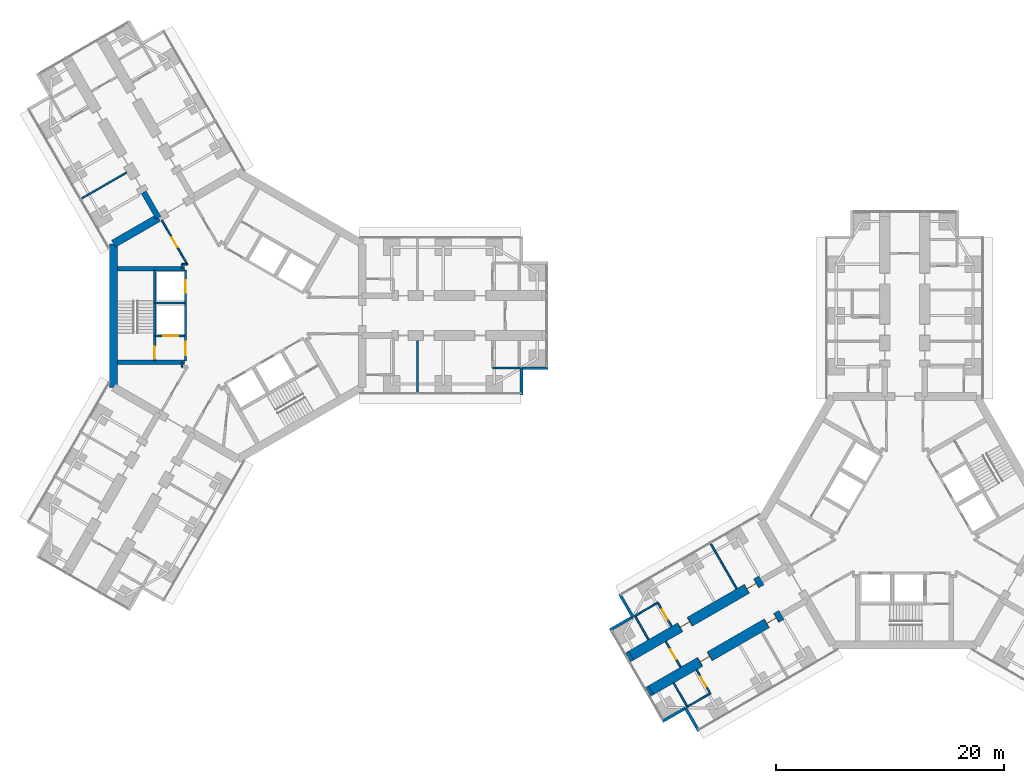
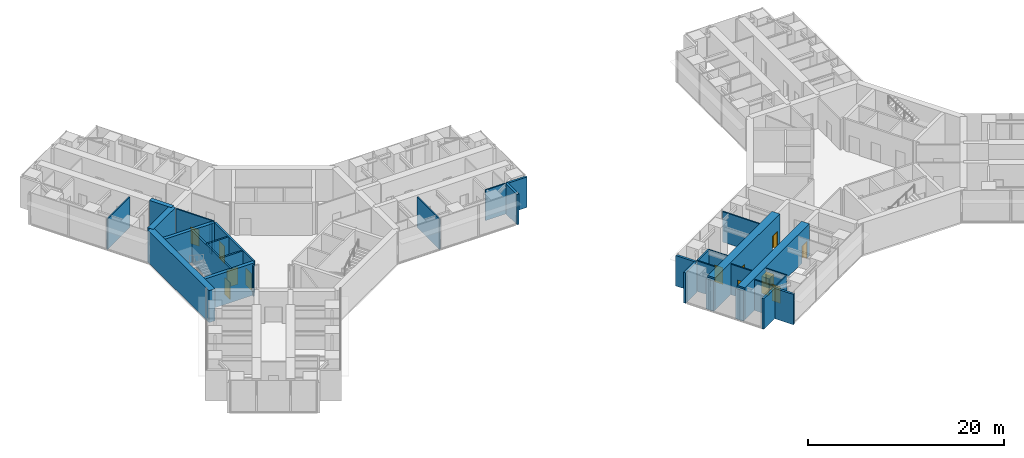
# One storey, part 17 of 24: 34 walls, 12 doors, 12 openings.
"""IFC4 building model written with IfcOpenShell, lengths in metres."""

from ifc_helpers import new_model, si_unit, direction, frame, frame_2d, origin, place, context, subcontext, project, spatial, rectangle, extrude, material, layer, layer_set, type_object, element, fill, save


model = new_model("IFC4")

# Units and contexts
model_context = context("Model", 3, precision=1e-05, world=origin(), true_north=direction((0.0, 1.0)))
body_context = subcontext(model_context, "Body", "Model", "MODEL_VIEW")
ifc_project = project(units=[si_unit("LENGTHUNIT", "METRE"), si_unit("AREAUNIT", "SQUARE_METRE"), si_unit("VOLUMEUNIT", "CUBIC_METRE"), si_unit("PLANEANGLEUNIT", "RADIAN"), si_unit("MASSUNIT", "GRAM", prefix="KILO")], contexts=[model_context])

# Site, building, storey
site_placement = place(None, origin())
site = spatial("IfcSite", under=ifc_project, at=site_placement, CompositionType="ELEMENT")
building_placement = place(site_placement, origin())
building = spatial("IfcBuilding", under=site, at=building_placement, Name="Upepo Twin Towers", CompositionType="ELEMENT")
storey_placement = place(building_placement, frame((0.0, 0.0, 48.5)))
storey = spatial("IfcBuildingStorey", under=building, at=storey_placement, Name="L11", CompositionType="ELEMENT", Elevation=48.5)

# Walls
ifc_material_1 = material(Name="Dense concrete blockwork", Category="masonry")
ifc_layer_1 = layer(ifc_material_1, 0.89990234375)
ifc_layer_set_1 = layer_set([ifc_layer_1], Name="Buttress closer 900, blockwork with fire-stopping to the curtain wall")
wall_type_1 = type_object("IfcWallType", Name="Buttress closer 900, blockwork with fire-stopping to the curtain wall", PredefinedType="PARTITIONING", material=ifc_layer_set_1)
for number, where, z_axis, x_axis, name in (
    (1, (36.252197265625, -32.865478515625, 0.0), (0.0, 0.0, 1.0), (-0.866054481515, -0.499949632511, 0.0), "T2 L11 wing B buttress closer L"),
    (2, (34.502197265625, -29.83447265625, 0.0), (0.0, 0.0, 1.0), (-0.866054481515, -0.499949632511, 0.0), "T2 L11 wing B buttress closer R"),
):
    element("IfcWall", number, at=place(storey_placement, frame(where, z_axis=z_axis, x_axis=x_axis)), inside=storey, type_object=wall_type_1, Name=name, PredefinedType="PARTITIONING", context=body_context, shape_type="SweptSolid", body=[
        extrude(rectangle(XDim=0.31005859375, YDim=0.89990234375, at=frame_2d((0.155029296875, 0.0))), origin(), (0.0, 0.0, 1.0), 3.800048828125),
    ])
ifc_material_2 = material(Name="Concrete C60/75", Category="concrete")
ifc_layer_2 = layer(ifc_material_2, 0.5)
ifc_layer_set_2 = layer_set([ifc_layer_2], Name="Concrete C60/75")
wall_type_2 = type_object("IfcWallType", Name="Buttress wall 500 RC", PredefinedType="SHEAR", material=ifc_layer_set_2)
wall_1_placement = place(storey_placement, frame((-6.9697265625, 8.57177734375, 0.0), z_axis=(0.0, 0.0, 1.0), x_axis=(-0.499988811324, 0.866031863473, 0.0)))
element("IfcWall", 3, at=wall_1_placement, inside=storey, type_object=wall_type_2, Name="T1 wing B buttress wall L", PredefinedType="SHEAR", context=body_context, shape_type="SweptSolid", body=[
    extrude(rectangle(XDim=2.591796875, YDim=0.5, at=frame_2d((1.2958984375, 0.0))), origin(), (0.0, 0.0, 1.0), 4.0),
])

# Wall, openings, doors
ifc_material_3 = material(Name="Concrete C60/75", Category="concrete")
ifc_layer_3 = layer(ifc_material_3, 0.89990234375)
ifc_layer_set_3 = layer_set([ifc_layer_3], Name="Concrete C60/75")
wall_type_3 = type_object("IfcWallType", Name="Buttress wall 900 RC", PredefinedType="SHEAR", material=ifc_layer_set_3)
wall_2_placement = place(storey_placement, frame((47.68359375, -26.265625, 0.0), z_axis=(0.0, 0.0, 1.0), x_axis=(-0.866027579429, -0.499996231654, 0.0)))
wall_2 = element("IfcWall", 4, at=wall_2_placement, inside=storey, type_object=wall_type_3, Name="T2 wing B buttress wall L part 2", PredefinedType="SHEAR", context=body_context, shape_type="SweptSolid", body=[
    extrude(rectangle(XDim=13.19970703125, YDim=0.89990234375, at=frame_2d((6.599853515625, 0.0))), origin(), (0.0, 0.0, 1.0), 4.0),
])
opening_1_placement = place(wall_2_placement, frame((0.5, 0.0, 0.0)))
opening_1 = element("IfcOpeningElement", 5, at=opening_1_placement, cuts=wall_2, Name="Opening D1", PredefinedType="OPENING", context=body_context, shape_type="SweptSolid", body=[
    extrude(rectangle(XDim=1.0, YDim=2.10009765625, at=frame_2d((0.5, 1.050048828125))), frame((0.0, 0.4599609375, 0.0), z_axis=(0.0, -1.0, 0.0), x_axis=(1.0, 0.0, 0.0)), (0.0, 0.0, 1.0), 0.919921875),
])
opening_2_placement = place(wall_2_placement, frame((7.25, 0.0, 0.0)))
opening_2 = element("IfcOpeningElement", 6, at=opening_2_placement, cuts=wall_2, Name="Opening D1", PredefinedType="OPENING", context=body_context, shape_type="SweptSolid", body=[
    extrude(rectangle(XDim=1.0, YDim=2.10009765625, at=frame_2d((0.5, 1.050048828125))), frame((0.0, 0.4599609375, 0.0), z_axis=(0.0, -1.0, 0.0), x_axis=(1.0, 0.0, 0.0)), (0.0, 0.0, 1.0), 0.919921875),
])
ifc_material_4 = material(Name="Timber doorset", Category="wood")
door_type_1 = type_object("IfcDoorType", Name="Room door 1000 FD30", OperationType="SINGLE_SWING_LEFT", PredefinedType="DOOR", material=ifc_material_4)
door_1_placement = place(opening_1_placement, origin())
door_1 = element("IfcDoor", 7, at=door_1_placement, inside=storey, type_object=door_type_1, Name="T2 L11 tutorial room door", OperationType="SINGLE_SWING_LEFT", OverallHeight=2.10009765625, OverallWidth=1.0, PredefinedType="DOOR", context=body_context, shape_type="SweptSolid", body=[
    extrude(rectangle(XDim=0.92, YDim=2.06009765625, at=frame_2d((0.5, 1.030029296875))), frame((0.0, 0.02490234375, 0.0), z_axis=(0.0, -1.0, 0.0), x_axis=(1.0, 0.0, 0.0)), (0.0, 0.0, 1.0), 0.050048828125),
    extrude(rectangle(XDim=0.04, YDim=2.10009765625, at=frame_2d((0.02001953125, 1.050048828125))), frame((0.0, 0.44970703125, 0.0), z_axis=(0.0, -1.0, 0.0), x_axis=(1.0, 0.0, 0.0)), (0.0, 0.0, 1.0), 0.8994140625),
    extrude(rectangle(XDim=0.04, YDim=2.10009765625, at=frame_2d((0.97998046875, 1.050048828125))), frame((0.0, 0.44970703125, 0.0), z_axis=(0.0, -1.0, 0.0), x_axis=(1.0, 0.0, 0.0)), (0.0, 0.0, 1.0), 0.8994140625),
    extrude(rectangle(XDim=0.92, YDim=0.04, at=frame_2d((0.5, 2.080078125))), frame((0.0, 0.44970703125, 0.0), z_axis=(0.0, -1.0, 0.0), x_axis=(1.0, 0.0, 0.0)), (0.0, 0.0, 1.0), 0.8994140625),
])
fill(opening_1, door_1)
door_2_placement = place(opening_2_placement, origin())
door_2 = element("IfcDoor", 8, at=door_2_placement, inside=storey, type_object=door_type_1, Name="T2 L11 classroom door", OperationType="SINGLE_SWING_RIGHT", OverallHeight=2.10009765625, OverallWidth=1.0, PredefinedType="DOOR", context=body_context, shape_type="SweptSolid", body=[
    extrude(rectangle(XDim=0.92, YDim=2.06009765625, at=frame_2d((0.5, 1.030029296875))), frame((0.0, 0.02490234375, 0.0), z_axis=(0.0, -1.0, 0.0), x_axis=(1.0, 0.0, 0.0)), (0.0, 0.0, 1.0), 0.050048828125),
    extrude(rectangle(XDim=0.04, YDim=2.10009765625, at=frame_2d((0.02001953125, 1.050048828125))), frame((0.0, 0.44970703125, 0.0), z_axis=(0.0, -1.0, 0.0), x_axis=(1.0, 0.0, 0.0)), (0.0, 0.0, 1.0), 0.8994140625),
    extrude(rectangle(XDim=0.04, YDim=2.10009765625, at=frame_2d((0.97998046875, 1.050048828125))), frame((0.0, 0.44970703125, 0.0), z_axis=(0.0, -1.0, 0.0), x_axis=(1.0, 0.0, 0.0)), (0.0, 0.0, 1.0), 0.8994140625),
    extrude(rectangle(XDim=0.92, YDim=0.04, at=frame_2d((0.5, 2.080078125))), frame((0.0, 0.44970703125, 0.0), z_axis=(0.0, -1.0, 0.0), x_axis=(1.0, 0.0, 0.0)), (0.0, 0.0, 1.0), 0.8994140625),
])
fill(opening_2, door_2)

wall_3_placement = place(storey_placement, frame((45.93359375, -23.234375, 0.0), z_axis=(0.0, 0.0, 1.0), x_axis=(-0.866019570528, -0.500010103361, 0.0)))
wall_3 = element("IfcWall", 9, at=wall_3_placement, inside=storey, type_object=wall_type_3, Name="T2 wing B buttress wall R part 2", PredefinedType="SHEAR", context=body_context, shape_type="SweptSolid", body=[
    extrude(rectangle(XDim=13.199951171875, YDim=0.89990234375, at=frame_2d((6.60009765625, 0.0))), origin(), (0.0, 0.0, 1.0), 4.0),
])
opening_3_placement = place(wall_3_placement, frame((0.5, 0.0, 0.0)))
opening_3 = element("IfcOpeningElement", 10, at=opening_3_placement, cuts=wall_3, Name="Opening D1", PredefinedType="OPENING", context=body_context, shape_type="SweptSolid", body=[
    extrude(rectangle(XDim=1.0, YDim=2.10009765625, at=frame_2d((0.5, 1.050048828125))), frame((0.0, 0.4599609375, 0.0), z_axis=(0.0, -1.0, 0.0), x_axis=(1.0, 0.0, 0.0)), (0.0, 0.0, 1.0), 0.919921875),
])
opening_4_placement = place(wall_3_placement, frame((7.25, 0.0, 0.0)))
opening_4 = element("IfcOpeningElement", 11, at=opening_4_placement, cuts=wall_3, Name="Opening D1", PredefinedType="OPENING", context=body_context, shape_type="SweptSolid", body=[
    extrude(rectangle(XDim=1.0, YDim=2.10009765625, at=frame_2d((0.5, 1.050048828125))), frame((0.0, 0.4599609375, 0.0), z_axis=(0.0, -1.0, 0.0), x_axis=(1.0, 0.0, 0.0)), (0.0, 0.0, 1.0), 0.919921875),
])
door_3_placement = place(opening_3_placement, origin())
door_3 = element("IfcDoor", 12, at=door_3_placement, inside=storey, type_object=door_type_1, Name="T2 L11 staff office door", OperationType="SINGLE_SWING_LEFT", OverallHeight=2.10009765625, OverallWidth=1.0, PredefinedType="DOOR", context=body_context, shape_type="SweptSolid", body=[
    extrude(rectangle(XDim=0.92, YDim=2.06009765625, at=frame_2d((0.5, 1.030029296875))), frame((0.0, 0.02490234375, 0.0), z_axis=(0.0, -1.0, 0.0), x_axis=(1.0, 0.0, 0.0)), (0.0, 0.0, 1.0), 0.050048828125),
    extrude(rectangle(XDim=0.04, YDim=2.10009765625, at=frame_2d((0.02001953125, 1.050048828125))), frame((0.0, 0.44970703125, 0.0), z_axis=(0.0, -1.0, 0.0), x_axis=(1.0, 0.0, 0.0)), (0.0, 0.0, 1.0), 0.8994140625),
    extrude(rectangle(XDim=0.04, YDim=2.10009765625, at=frame_2d((0.97998046875, 1.050048828125))), frame((0.0, 0.44970703125, 0.0), z_axis=(0.0, -1.0, 0.0), x_axis=(1.0, 0.0, 0.0)), (0.0, 0.0, 1.0), 0.8994140625),
    extrude(rectangle(XDim=0.92, YDim=0.04, at=frame_2d((0.5, 2.080078125))), frame((0.0, 0.44970703125, 0.0), z_axis=(0.0, -1.0, 0.0), x_axis=(1.0, 0.0, 0.0)), (0.0, 0.0, 1.0), 0.8994140625),
])
fill(opening_3, door_3)
door_4_placement = place(opening_4_placement, origin())
door_4 = element("IfcDoor", 13, at=door_4_placement, inside=storey, type_object=door_type_1, Name="T2 L11 classroom door", OperationType="SINGLE_SWING_RIGHT", OverallHeight=2.10009765625, OverallWidth=1.0, PredefinedType="DOOR", context=body_context, shape_type="SweptSolid", body=[
    extrude(rectangle(XDim=0.92, YDim=2.06009765625, at=frame_2d((0.5, 1.030029296875))), frame((0.0, 0.02490234375, 0.0), z_axis=(0.0, -1.0, 0.0), x_axis=(1.0, 0.0, 0.0)), (0.0, 0.0, 1.0), 0.050048828125),
    extrude(rectangle(XDim=0.04, YDim=2.10009765625, at=frame_2d((0.02001953125, 1.050048828125))), frame((0.0, 0.44970703125, 0.0), z_axis=(0.0, -1.0, 0.0), x_axis=(1.0, 0.0, 0.0)), (0.0, 0.0, 1.0), 0.8994140625),
    extrude(rectangle(XDim=0.04, YDim=2.10009765625, at=frame_2d((0.97998046875, 1.050048828125))), frame((0.0, 0.44970703125, 0.0), z_axis=(0.0, -1.0, 0.0), x_axis=(1.0, 0.0, 0.0)), (0.0, 0.0, 1.0), 0.8994140625),
    extrude(rectangle(XDim=0.92, YDim=0.04, at=frame_2d((0.5, 2.080078125))), frame((0.0, 0.44970703125, 0.0), z_axis=(0.0, -1.0, 0.0), x_axis=(1.0, 0.0, 0.0)), (0.0, 0.0, 1.0), 0.8994140625),
])
fill(opening_4, door_4)

# Walls
ifc_material_5 = material(Name="Concrete C60/75", Category="concrete")
ifc_layer_4 = layer(ifc_material_5, 0.699951171875)
ifc_layer_set_4 = layer_set([ifc_layer_4], Name="Concrete C60/75")
wall_type_4 = type_object("IfcWallType", Name="Core wall 700 RC", PredefinedType="SHEAR", material=ifc_layer_set_4)
wall_4_placement = place(storey_placement, frame((-6.9697265625, 8.57177734375, 0.0), z_axis=(0.0, 0.0, 1.0), x_axis=(-0.866034513004, -0.499984222037, 0.0)))
element("IfcWall", 14, at=wall_4_placement, inside=storey, type_object=wall_type_4, Name="T1 core wall 120 L", PredefinedType="SHEAR", context=body_context, shape_type="SweptSolid", body=[
    extrude(rectangle(XDim=4.548095703125, YDim=0.699951171875, at=frame_2d((2.27392578125, 0.0))), origin(), (0.0, 0.0, 1.0), 4.0),
])
wall_5_placement = place(storey_placement, frame((-10.908447265625, 6.2978515625, 0.0), z_axis=(0.0, 0.0, 1.0), x_axis=(0.0, -1.0, 0.0)))
element("IfcWall", 15, at=wall_5_placement, inside=storey, type_object=wall_type_4, Name="T1 core wall 180", PredefinedType="SHEAR", context=body_context, shape_type="SweptSolid", body=[
    extrude(rectangle(XDim=12.595703125, YDim=0.699951171875, at=frame_2d((6.2978515625, 0.0))), origin(), (0.0, 0.0, 1.0), 4.0),
])
ifc_material_6 = material(Name="Blockwork with anodised aluminium cladding", Category="masonry")
ifc_layer_5 = layer(ifc_material_6, 0.25)
ifc_layer_set_5 = layer_set([ifc_layer_5], Name="Notch cladding wall 250, pale metal")
wall_type_5 = type_object("IfcWallType", Name="Notch cladding wall 250, pale metal", PredefinedType="STANDARD", material=ifc_layer_set_5)
for number, where, z_axis, x_axis, name in (
    (16, (24.875, -6.949951171875, 0.0), (0.0, 0.0, 1.0), (0.0, 1.0, 0.0), "T1 L11 wing A notch wall R1"),
    (17, (24.875, -4.625, 0.0), (0.0, 0.0, 1.0), (1.0, 0.0, 0.0), "T1 L11 wing A notch wall R2"),
    (18, (40.4326171875, -36.456298828125, 0.0), (0.0, 0.0, 1.0), (-0.500046648681, 0.865998469481, 0.0), "T2 L11 wing B notch wall L1"),
    (19, (39.27001953125, -34.44287109375, 0.0), (0.0, 0.0, 1.0), (-0.865998469481, -0.500046648681, 0.0), "T2 L11 wing B notch wall L2"),
    (20, (33.482666015625, -24.418701171875, 0.0), (0.0, 0.0, 1.0), (0.499967891604, -0.866043940782, 0.0), "T2 L11 wing B notch wall R1"),
    (21, (34.64501953125, -26.43212890625, 0.0), (0.0, 0.0, 1.0), (-0.865998469481, -0.500046648681, 0.0), "T2 L11 wing B notch wall R2"),
):
    element("IfcWall", number, at=place(storey_placement, frame(where, z_axis=z_axis, x_axis=x_axis)), inside=storey, type_object=wall_type_5, Name=name, PredefinedType="STANDARD", context=body_context, shape_type="SweptSolid", body=[
        extrude(rectangle(XDim=2.324951171875, YDim=0.25, at=frame_2d((1.16259765625, 0.0))), origin(), (0.0, 0.0, 1.0), 3.800048828125),
    ])

# Wall, openings, doors
ifc_material_7 = material(Name="Concrete C40/50", Category="concrete")
ifc_layer_6 = layer(ifc_material_7, 0.199951171875)
ifc_layer_set_6 = layer_set([ifc_layer_6], Name="Concrete C40/50")
wall_type_6 = type_object("IfcWallType", Name="Shaft wall 200 RC", PredefinedType="SHEAR", material=ifc_layer_set_6)
wall_6_placement = place(storey_placement, frame((-4.60009765625, 4.0, 0.0), z_axis=(0.0, 0.0, 1.0), x_axis=(0.0, -1.0, 0.0)))
wall_6 = element("IfcWall", 22, at=wall_6_placement, inside=storey, type_object=wall_type_6, Name="T1 core W180 front wall", PredefinedType="SHEAR", context=body_context, shape_type="SweptSolid", body=[
    extrude(rectangle(XDim=8.0, YDim=0.199951171875, at=frame_2d((4.0, 0.0))), origin(), (0.0, 0.0, 1.0), 4.0),
])
opening_5_placement = place(wall_6_placement, frame((6.300048828125, 0.0, 0.0)))
opening_5 = element("IfcOpeningElement", 23, at=opening_5_placement, cuts=wall_6, Name="Opening D4", PredefinedType="OPENING", context=body_context, shape_type="SweptSolid", body=[
    extrude(rectangle(XDim=1.199951171875, YDim=2.10009765625, at=frame_2d((0.60009765625, 1.050048828125))), frame((0.0, 0.10986328125, 0.0), z_axis=(0.0, -1.0, 0.0), x_axis=(1.0, 0.0, 0.0)), (0.0, 0.0, 1.0), 0.219970703125),
])
opening_6_placement = place(wall_6_placement, frame((0.89990234375, 0.0, 0.0)))
opening_6 = element("IfcOpeningElement", 24, at=opening_6_placement, cuts=wall_6, Name="Opening LD1", PredefinedType="OPENING", context=body_context, shape_type="SweptSolid", body=[
    extrude(rectangle(XDim=1.10009765625, YDim=2.199951171875, at=frame_2d((0.550048828125, 1.10009765625))), frame((0.0, 0.10986328125, 0.0), z_axis=(0.0, -1.0, 0.0), x_axis=(1.0, 0.0, 0.0)), (0.0, 0.0, 1.0), 0.219970703125),
])
ifc_material_8 = material(Name="Steel doorset", Category="steel")
door_type_2 = type_object("IfcDoorType", Name="Lift landing door 1100", OperationType="DOUBLE_DOOR_SLIDING", PredefinedType="DOOR", material=ifc_material_8)
door_5_placement = place(opening_6_placement, origin())
door_5 = element("IfcDoor", 25, at=door_5_placement, inside=storey, type_object=door_type_2, Name="T1 L11 lift SV1 landing door", OperationType="DOUBLE_DOOR_SLIDING", OverallHeight=2.199951171875, OverallWidth=1.10009765625, PredefinedType="DOOR", context=body_context, shape_type="SweptSolid", body=[
    extrude(rectangle(XDim=1.10009765625, YDim=2.199951171875, at=frame_2d((0.550048828125, 1.10009765625))), frame((0.0, 0.02490234375, 0.0), z_axis=(0.0, -1.0, 0.0), x_axis=(1.0, 0.0, 0.0)), (0.0, 0.0, 1.0), 0.050048828125),
])
fill(opening_6, door_5)
ifc_material_9 = material(Name="Timber doorset", Category="wood")
door_type_3 = type_object("IfcDoorType", Name="Lobby door 1200 FD60", OperationType="SINGLE_SWING_LEFT", PredefinedType="DOOR", material=ifc_material_9)
door_6_placement = place(opening_5_placement, origin())
door_6 = element("IfcDoor", 26, at=door_6_placement, inside=storey, type_object=door_type_3, Name="T1 L11 W180 lobby door", OperationType="SINGLE_SWING_RIGHT", OverallHeight=2.10009765625, OverallWidth=1.199951171875, PredefinedType="DOOR", context=body_context, shape_type="SweptSolid", body=[
    extrude(rectangle(XDim=1.199951171875, YDim=2.10009765625, at=frame_2d((0.60009765625, 1.050048828125))), frame((0.0, 0.02490234375, 0.0), z_axis=(0.0, -1.0, 0.0), x_axis=(1.0, 0.0, 0.0)), (0.0, 0.0, 1.0), 0.050048828125),
])
fill(opening_5, door_6)

# Wall
wall_7_placement = place(storey_placement, frame((-4.699951171875, 1.10009765625, 0.0), z_axis=(0.0, 0.0, 1.0), x_axis=(-1.0, 0.0, 0.0)))
element("IfcWall", 27, at=wall_7_placement, inside=storey, type_object=wall_type_6, Name="T1 core W180 shaft divider", PredefinedType="SHEAR", context=body_context, shape_type="SweptSolid", body=[
    extrude(rectangle(XDim=2.60009765625, YDim=0.199951171875, at=frame_2d((1.300048828125, 0.0))), origin(), (0.0, 0.0, 1.0), 4.0),
])

# Wall, opening, door
wall_8_placement = place(storey_placement, frame((-4.699951171875, -1.800048828125, 0.0), z_axis=(0.0, 0.0, 1.0), x_axis=(-1.0, 0.0, 0.0)))
wall_8 = element("IfcWall", 28, at=wall_8_placement, inside=storey, type_object=wall_type_6, Name="T1 core W180 lobby wall", PredefinedType="SHEAR", context=body_context, shape_type="SweptSolid", body=[
    extrude(rectangle(XDim=2.60009765625, YDim=0.199951171875, at=frame_2d((1.300048828125, 0.0))), origin(), (0.0, 0.0, 1.0), 4.0),
])
opening_7_placement = place(wall_8_placement, frame((0.550048828125, 0.0, 0.0)))
opening_7 = element("IfcOpeningElement", 29, at=opening_7_placement, cuts=wall_8, Name="Opening LD2", PredefinedType="OPENING", context=body_context, shape_type="SweptSolid", body=[
    extrude(rectangle(XDim=1.300048828125, YDim=2.199951171875, at=frame_2d((0.64990234375, 1.10009765625))), frame((0.0, 0.10986328125, 0.0), z_axis=(0.0, -1.0, 0.0), x_axis=(1.0, 0.0, 0.0)), (0.0, 0.0, 1.0), 0.219970703125),
])
ifc_material_10 = material(Name="Steel doorset", Category="steel")
door_type_4 = type_object("IfcDoorType", Name="Firefighting lift landing door 1300", OperationType="DOUBLE_DOOR_SLIDING", PredefinedType="DOOR", material=ifc_material_10)
door_7_placement = place(opening_7_placement, origin())
door_7 = element("IfcDoor", 30, at=door_7_placement, inside=storey, type_object=door_type_4, Name="T1 L11 firefighting lift landing door", OperationType="DOUBLE_DOOR_SLIDING", OverallHeight=2.199951171875, OverallWidth=1.300048828125, PredefinedType="DOOR", context=body_context, shape_type="SweptSolid", body=[
    extrude(rectangle(XDim=1.300048828125, YDim=2.199951171875, at=frame_2d((0.64990234375, 1.10009765625))), frame((0.0, 0.02490234375, 0.0), z_axis=(0.0, -1.0, 0.0), x_axis=(1.0, 0.0, 0.0)), (0.0, 0.0, 1.0), 0.050048828125),
])
fill(opening_7, door_7)

wall_9_placement = place(storey_placement, frame((-7.300048828125, 4.0, 0.0), z_axis=(0.0, 0.0, 1.0), x_axis=(0.0, -1.0, 0.0)))
wall_9 = element("IfcWall", 31, at=wall_9_placement, inside=storey, type_object=wall_type_6, Name="T1 core W180 stair wall", PredefinedType="SHEAR", context=body_context, shape_type="SweptSolid", body=[
    extrude(rectangle(XDim=8.0, YDim=0.199951171875, at=frame_2d((4.0, 0.0))), origin(), (0.0, 0.0, 1.0), 4.0),
])
opening_8_placement = place(wall_9_placement, frame((6.699951171875, 0.0, 0.0)))
opening_8 = element("IfcOpeningElement", 32, at=opening_8_placement, cuts=wall_9, Name="Opening D3", PredefinedType="OPENING", context=body_context, shape_type="SweptSolid", body=[
    extrude(rectangle(XDim=1.10009765625, YDim=2.10009765625, at=frame_2d((0.550048828125, 1.050048828125))), frame((0.0, 0.10986328125, 0.0), z_axis=(0.0, -1.0, 0.0), x_axis=(1.0, 0.0, 0.0)), (0.0, 0.0, 1.0), 0.219970703125),
])
ifc_material_11 = material(Name="Timber doorset", Category="wood")
door_type_5 = type_object("IfcDoorType", Name="Stair door 1100 FD60", OperationType="SINGLE_SWING_LEFT", PredefinedType="DOOR", material=ifc_material_11)
door_8_placement = place(opening_8_placement, origin())
door_8 = element("IfcDoor", 33, at=door_8_placement, inside=storey, type_object=door_type_5, Name="T1 L11 stair door", OperationType="SINGLE_SWING_RIGHT", OverallHeight=2.10009765625, OverallWidth=1.10009765625, PredefinedType="DOOR", context=body_context, shape_type="SweptSolid", body=[
    extrude(rectangle(XDim=1.10009765625, YDim=2.10009765625, at=frame_2d((0.550048828125, 1.050048828125))), frame((0.0, 0.02490234375, 0.0), z_axis=(0.0, -1.0, 0.0), x_axis=(1.0, 0.0, 0.0)), (0.0, 0.0, 1.0), 0.050048828125),
])
fill(opening_8, door_8)

# Walls
ifc_material_12 = material(Name="Concrete C40/50", Category="concrete")
ifc_layer_7 = layer(ifc_material_12, 0.39990234375)
ifc_layer_set_7 = layer_set([ifc_layer_7], Name="Concrete C40/50")
wall_type_7 = type_object("IfcWallType", Name="Shaft wall 400 RC", PredefinedType="SHEAR", material=ifc_layer_set_7)
for number, where, z_axis, x_axis, name in (
    (34, (-4.699951171875, -4.10009765625, 0.0), (0.0, 0.0, 1.0), (-1.0, 0.0, 0.0), "T1 core W180 side wall N"),
    (35, (-4.699951171875, 4.10009765625, 0.0), (0.0, 0.0, 1.0), (-1.0, 0.0, 0.0), "T1 core W180 side wall S"),
):
    element("IfcWall", number, at=place(storey_placement, frame(where, z_axis=z_axis, x_axis=x_axis)), inside=storey, type_object=wall_type_7, Name=name, PredefinedType="SHEAR", context=body_context, shape_type="SweptSolid", body=[
        extrude(rectangle(XDim=5.8583984375, YDim=0.39990234375, at=frame_2d((2.92919921875, 0.0))), origin(), (0.0, 0.0, 1.0), 4.0),
    ])
ifc_material_13 = material(Name="Gypsum board on steel studs", Category="steel")
ifc_layer_8 = layer(ifc_material_13, 0.14990234375)
ifc_layer_set_8 = layer_set([ifc_layer_8], Name="Teaching partition 150 acoustic")
wall_type_8 = type_object("IfcWallType", Name="Teaching partition 150 acoustic", PredefinedType="PARTITIONING", material=ifc_layer_set_8)
wall_10_placement = place(storey_placement, frame((15.75, -2.199951171875, 0.0), z_axis=(0.0, 0.0, 1.0), x_axis=(0.0, -1.0, 0.0)))
element("IfcWall", 36, at=wall_10_placement, inside=storey, type_object=wall_type_8, Name="T1 partition AR at 15.75", PredefinedType="PARTITIONING", context=body_context, shape_type="SweptSolid", body=[
    extrude(rectangle(XDim=4.550048828125, YDim=0.14990234375, at=frame_2d((2.27490234375, 0.0))), origin(), (0.0, 0.0, 1.0), 3.800048828125),
])
wall_11_placement = place(storey_placement, frame((22.35009765625, -4.60009765625, 0.0), z_axis=(0.0, 0.0, 1.0), x_axis=(1.0, 0.0, 0.0)))
element("IfcWall", 37, at=wall_11_placement, inside=storey, type_object=wall_type_8, Name="T1 inner room partition AR at 22.35", PredefinedType="PARTITIONING", context=body_context, shape_type="SweptSolid", body=[
    extrude(rectangle(XDim=2.39990234375, YDim=0.14990234375, at=frame_2d((1.199951171875, 0.0))), origin(), (0.0, 0.0, 1.0), 3.800048828125),
])
wall_12_placement = place(storey_placement, frame((-9.7802734375, 12.539794921875, 0.0), z_axis=(0.0, 0.0, 1.0), x_axis=(-0.866035472144, -0.499982560684, 0.0)))
element("IfcWall", 38, at=wall_12_placement, inside=storey, type_object=wall_type_8, Name="T1 partition BL at 15.75", PredefinedType="PARTITIONING", context=body_context, shape_type="SweptSolid", body=[
    extrude(rectangle(XDim=4.550048828125, YDim=0.14990234375, at=frame_2d((2.27490234375, 0.0))), origin(), (0.0, 0.0, 1.0), 3.800048828125),
])
for number, where, z_axis, x_axis, name in (
    (39, (-4.89990234375, -4.52001953125, 0.0), (0.0, 0.0, 1.0), (0.0, 1.0, 0.0), "T1 core room partition 7"),
    (40, (-4.89990234375, 4.090087890625, 0.0), (0.0, 0.0, 1.0), (0.0, 1.0, 0.0), "T1 core room partition 8"),
):
    element("IfcWall", number, at=place(storey_placement, frame(where, z_axis=z_axis, x_axis=x_axis)), inside=storey, type_object=wall_type_8, Name=name, PredefinedType="PARTITIONING", context=body_context, shape_type="SweptSolid", body=[
        extrude(rectangle(XDim=0.429931640625, YDim=0.14990234375, at=frame_2d((0.21484375, 0.0))), origin(), (0.0, 0.0, 1.0), 3.800048828125),
    ])
wall_13_placement = place(storey_placement, frame((-4.919921875, 4.5, 0.0), z_axis=(0.0, 0.0, 1.0), x_axis=(1.0, 0.0, 0.0)))
element("IfcWall", 41, at=wall_13_placement, inside=storey, type_object=wall_type_8, Name="T1 core room partition 9", PredefinedType="PARTITIONING", context=body_context, shape_type="SweptSolid", body=[
    extrude(rectangle(XDim=0.494384765625, YDim=0.14990234375, at=frame_2d((0.2470703125, 0.0))), origin(), (0.0, 0.0, 1.0), 3.800048828125),
])

# Wall, opening, door
wall_14_placement = place(storey_placement, frame((-4.435546875, 4.482666015625, 0.0), z_axis=(0.0, 0.0, 1.0), x_axis=(-0.500017246033, 0.866015446554, 0.0)))
wall_14 = element("IfcWall", 42, at=wall_14_placement, inside=storey, type_object=wall_type_8, Name="T1 core room partition 10", PredefinedType="PARTITIONING", context=body_context, shape_type="SweptSolid", body=[
    extrude(rectangle(XDim=4.468505859375, YDim=0.14990234375, at=frame_2d((2.234375, 0.0))), origin(), (0.0, 0.0, 1.0), 3.800048828125),
])
opening_9_placement = place(wall_14_placement, frame((1.744384765625, 0.0, 0.0)))
opening_9 = element("IfcOpeningElement", 43, at=opening_9_placement, cuts=wall_14, Name="Opening D1", PredefinedType="OPENING", context=body_context, shape_type="SweptSolid", body=[
    extrude(rectangle(XDim=1.0, YDim=2.10009765625, at=frame_2d((0.5, 1.050048828125))), frame((0.0, 0.0849609375, 0.0), z_axis=(0.0, -1.0, 0.0), x_axis=(1.0, 0.0, 0.0)), (0.0, 0.0, 1.0), 0.169921875),
])
door_9_placement = place(opening_9_placement, origin())
door_9 = element("IfcDoor", 44, at=door_9_placement, inside=storey, type_object=door_type_1, Name="T1 L11 core room door K7", OperationType="SINGLE_SWING_RIGHT", OverallHeight=2.10009765625, OverallWidth=1.0, PredefinedType="DOOR", context=body_context, shape_type="SweptSolid", body=[
    extrude(rectangle(XDim=1.0, YDim=2.10009765625, at=frame_2d((0.5, 1.050048828125))), frame((0.0, 0.02490234375, 0.0), z_axis=(0.0, -1.0, 0.0), x_axis=(1.0, 0.0, 0.0)), (0.0, 0.0, 1.0), 0.050048828125),
])
fill(opening_9, door_9)

# Wall
wall_15_placement = place(storey_placement, frame((41.4443359375, -33.15869140625, 0.0), z_axis=(0.0, 0.0, 1.0), x_axis=(-0.866024647952, -0.500001309137, 0.0)))
element("IfcWall", 45, at=wall_15_placement, inside=storey, type_object=wall_type_8, Name="T2 inner room partition BL at 22.35", PredefinedType="PARTITIONING", context=body_context, shape_type="SweptSolid", body=[
    extrude(rectangle(XDim=2.39990234375, YDim=0.14990234375, at=frame_2d((1.199951171875, 0.0))), origin(), (0.0, 0.0, 1.0), 3.800048828125),
])

# Wall, opening, door
wall_16_placement = place(storey_placement, frame((40.244384765625, -31.080322265625, 0.0), z_axis=(0.0, 0.0, 1.0), x_axis=(0.500001309137, -0.866024647952, 0.0)))
wall_16 = element("IfcWall", 46, at=wall_16_placement, inside=storey, type_object=wall_type_8, Name="T2 inner room partition BL end at 22.35", PredefinedType="PARTITIONING", context=body_context, shape_type="SweptSolid", body=[
    extrude(rectangle(XDim=2.39990234375, YDim=0.14990234375, at=frame_2d((1.199951171875, 0.0))), origin(), (0.0, 0.0, 1.0), 3.800048828125),
])
opening_10_placement = place(wall_16_placement, frame((0.699951171875, 0.0, 0.0)))
opening_10 = element("IfcOpeningElement", 47, at=opening_10_placement, cuts=wall_16, Name="Opening D1", PredefinedType="OPENING", context=body_context, shape_type="SweptSolid", body=[
    extrude(rectangle(XDim=1.0, YDim=2.10009765625, at=frame_2d((0.5, 1.050048828125))), frame((0.0, 0.0849609375, 0.0), z_axis=(0.0, -1.0, 0.0), x_axis=(1.0, 0.0, 0.0)), (0.0, 0.0, 1.0), 0.169921875),
])
door_10_placement = place(opening_10_placement, origin())
door_10 = element("IfcDoor", 48, at=door_10_placement, inside=storey, type_object=door_type_1, Name="T2 L11 inner room door", OperationType="SINGLE_SWING_LEFT", OverallHeight=2.10009765625, OverallWidth=1.0, PredefinedType="DOOR", context=body_context, shape_type="SweptSolid", body=[
    extrude(rectangle(XDim=1.0, YDim=2.10009765625, at=frame_2d((0.5, 1.050048828125))), frame((0.0, 0.02490234375, 0.0), z_axis=(0.0, -1.0, 0.0), x_axis=(1.0, 0.0, 0.0)), (0.0, 0.0, 1.0), 0.050048828125),
])
fill(opening_10, door_10)

# Walls
wall_17_placement = place(storey_placement, frame((38.230712890625, -32.24267578125, 0.0), z_axis=(0.0, 0.0, 1.0), x_axis=(0.500033551112, -0.866006032174, 0.0)))
element("IfcWall", 49, at=wall_17_placement, inside=storey, type_object=wall_type_8, Name="T2 inner room partition BL end at 24.75", PredefinedType="PARTITIONING", context=body_context, shape_type="SweptSolid", body=[
    extrude(rectangle(XDim=2.400146484375, YDim=0.14990234375, at=frame_2d((1.2001953125, 0.0))), origin(), (0.0, 0.0, 1.0), 3.800048828125),
])
wall_18_placement = place(storey_placement, frame((43.760009765625, -23.9697265625, 0.0), z_axis=(0.0, 0.0, 1.0), x_axis=(-0.499982560684, 0.866035472144, 0.0)))
element("IfcWall", 50, at=wall_18_placement, inside=storey, type_object=wall_type_8, Name="T2 partition BR at 15.75", PredefinedType="PARTITIONING", context=body_context, shape_type="SweptSolid", body=[
    extrude(rectangle(XDim=4.550048828125, YDim=0.14990234375, at=frame_2d((2.27490234375, 0.0))), origin(), (0.0, 0.0, 1.0), 3.800048828125),
])
wall_19_placement = place(storey_placement, frame((36.84423828125, -25.191162109375, 0.0), z_axis=(0.0, 0.0, 1.0), x_axis=(-0.865980596518, -0.500077600433, 0.0)))
element("IfcWall", 51, at=wall_19_placement, inside=storey, type_object=wall_type_8, Name="T2 inner room partition BR at 22.35", PredefinedType="PARTITIONING", context=body_context, shape_type="SweptSolid", body=[
    extrude(rectangle(XDim=2.39990234375, YDim=0.14990234375, at=frame_2d((1.199951171875, 0.0))), origin(), (0.0, 0.0, 1.0), 3.800048828125),
])

# Wall, opening, door
wall_20_placement = place(storey_placement, frame((38.04443359375, -27.269775390625, 0.0), z_axis=(0.0, 0.0, 1.0), x_axis=(-0.500033551112, 0.866006032174, 0.0)))
wall_20 = element("IfcWall", 52, at=wall_20_placement, inside=storey, type_object=wall_type_8, Name="T2 inner room partition BR end at 22.35", PredefinedType="PARTITIONING", context=body_context, shape_type="SweptSolid", body=[
    extrude(rectangle(XDim=2.400146484375, YDim=0.14990234375, at=frame_2d((1.2001953125, 0.0))), origin(), (0.0, 0.0, 1.0), 3.800048828125),
])
opening_11_placement = place(wall_20_placement, frame((0.699951171875, 0.0, 0.0)))
opening_11 = element("IfcOpeningElement", 53, at=opening_11_placement, cuts=wall_20, Name="Opening D1", PredefinedType="OPENING", context=body_context, shape_type="SweptSolid", body=[
    extrude(rectangle(XDim=1.0, YDim=2.10009765625, at=frame_2d((0.5, 1.050048828125))), frame((0.0, 0.0849609375, 0.0), z_axis=(0.0, -1.0, 0.0), x_axis=(1.0, 0.0, 0.0)), (0.0, 0.0, 1.0), 0.169921875),
])
door_11_placement = place(opening_11_placement, origin())
door_11 = element("IfcDoor", 54, at=door_11_placement, inside=storey, type_object=door_type_1, Name="T2 L11 inner room door", OperationType="SINGLE_SWING_LEFT", OverallHeight=2.10009765625, OverallWidth=1.0, PredefinedType="DOOR", context=body_context, shape_type="SweptSolid", body=[
    extrude(rectangle(XDim=1.0, YDim=2.10009765625, at=frame_2d((0.5, 1.050048828125))), frame((0.0, 0.02490234375, 0.0), z_axis=(0.0, -1.0, 0.0), x_axis=(1.0, 0.0, 0.0)), (0.0, 0.0, 1.0), 0.050048828125),
])
fill(opening_11, door_11)

# Wall
wall_21_placement = place(storey_placement, frame((36.03076171875, -28.43212890625, 0.0), z_axis=(0.0, 0.0, 1.0), x_axis=(-0.500001309137, 0.866024647952, 0.0)))
element("IfcWall", 55, at=wall_21_placement, inside=storey, type_object=wall_type_8, Name="T2 inner room partition BR end at 24.75", PredefinedType="PARTITIONING", context=body_context, shape_type="SweptSolid", body=[
    extrude(rectangle(XDim=2.39990234375, YDim=0.14990234375, at=frame_2d((1.199951171875, 0.0))), origin(), (0.0, 0.0, 1.0), 3.800048828125),
])

# Wall, opening, door
wall_22_placement = place(storey_placement, frame((37.541748046875, -28.59912109375, 0.0), z_axis=(0.0, 0.0, 1.0), x_axis=(0.500006934395, -0.866021400173, 0.0)))
wall_22 = element("IfcWall", 56, at=wall_22_placement, inside=storey, type_object=wall_type_8, Name="T2 corridor end partition B at 23.45", PredefinedType="PARTITIONING", context=body_context, shape_type="SweptSolid", body=[
    extrude(rectangle(XDim=2.60009765625, YDim=0.14990234375, at=frame_2d((1.300048828125, 0.0))), origin(), (0.0, 0.0, 1.0), 3.800048828125),
])
opening_12_placement = place(wall_22_placement, frame((0.800048828125, 0.0, 0.0)))
opening_12 = element("IfcOpeningElement", 57, at=opening_12_placement, cuts=wall_22, Name="Opening D1", PredefinedType="OPENING", context=body_context, shape_type="SweptSolid", body=[
    extrude(rectangle(XDim=1.0, YDim=2.10009765625, at=frame_2d((0.5, 1.050048828125))), frame((0.0, 0.0849609375, 0.0), z_axis=(0.0, -1.0, 0.0), x_axis=(1.0, 0.0, 0.0)), (0.0, 0.0, 1.0), 0.169921875),
])
door_12_placement = place(opening_12_placement, origin())
door_12 = element("IfcDoor", 58, at=door_12_placement, inside=storey, type_object=door_type_1, Name="T2 L11 breakout study room door", OperationType="SINGLE_SWING_RIGHT", OverallHeight=2.10009765625, OverallWidth=1.0, PredefinedType="DOOR", context=body_context, shape_type="SweptSolid", body=[
    extrude(rectangle(XDim=1.0, YDim=2.10009765625, at=frame_2d((0.5, 1.050048828125))), frame((0.0, 0.02490234375, 0.0), z_axis=(0.0, -1.0, 0.0), x_axis=(1.0, 0.0, 0.0)), (0.0, 0.0, 1.0), 0.050048828125),
])
fill(opening_12, door_12)

save(model, "model.ifc")
